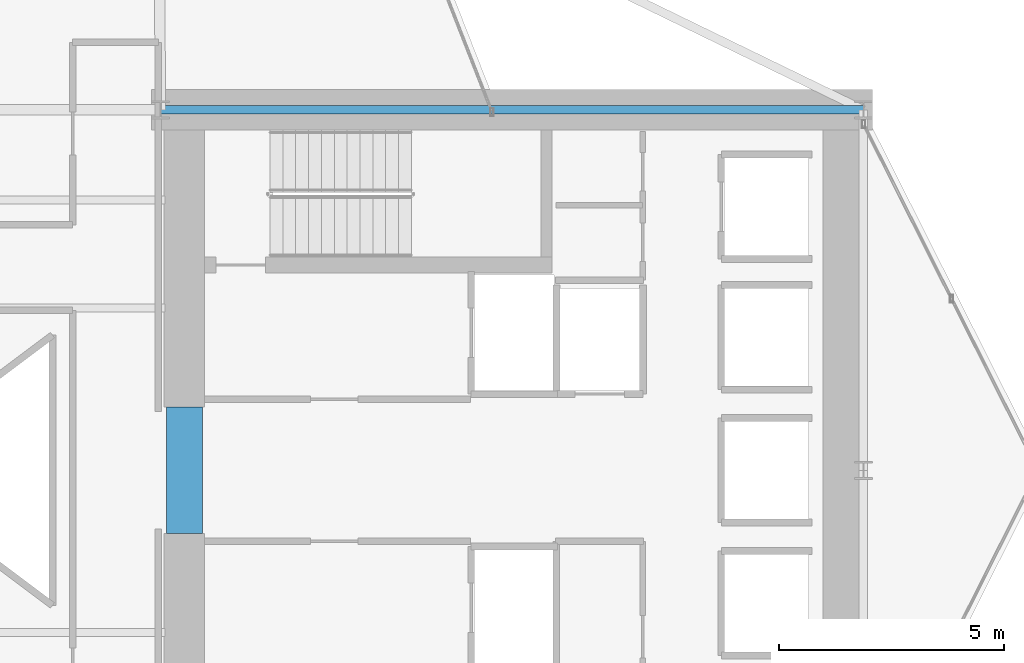
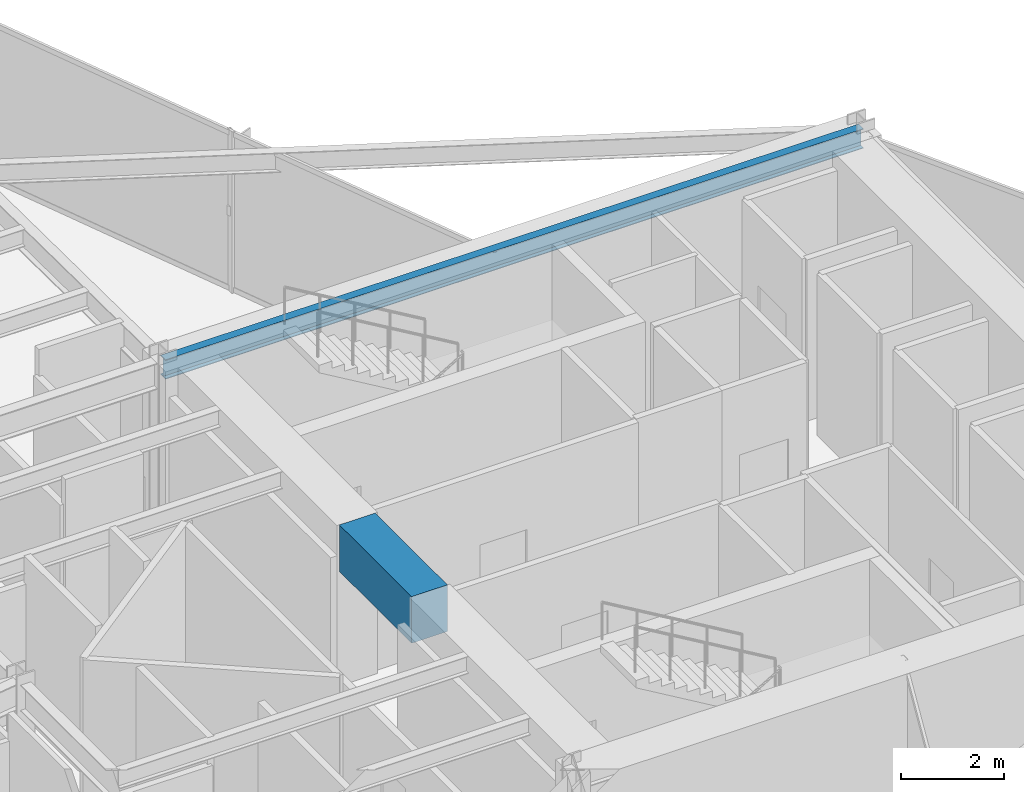
# One storey, part 16 of 29: 2 beams.
"""IFC4 building model written with IfcOpenShell, lengths in metres."""

from ifc_helpers import new_model, si_unit, direction, frame, origin, origin_2d, place, context, subcontext, project, spatial, rectangle, i_section, extrude, material, material_profile, profile_set, type_object, element, save


model = new_model("IFC4")

# Units and contexts
model_context = context("Model", 3, precision=1e-05, world=origin(), true_north=direction((0.0, 1.0)))
body_context = subcontext(model_context, "Body", "Model", "MODEL_VIEW")
ifc_project = project(units=[si_unit("LENGTHUNIT", "METRE"), si_unit("AREAUNIT", "SQUARE_METRE"), si_unit("VOLUMEUNIT", "CUBIC_METRE"), si_unit("PLANEANGLEUNIT", "RADIAN"), si_unit("MASSUNIT", "GRAM", prefix="KILO")], contexts=[model_context])

# Site, building, storey
site_placement = place(None, origin())
site = spatial("IfcSite", under=ifc_project, at=site_placement, CompositionType="ELEMENT")
building_placement = place(site_placement, origin())
building = spatial("IfcBuilding", under=site, at=building_placement, Name="Veymaron Broadcast Tower", CompositionType="ELEMENT")
storey_placement = place(building_placement, frame((0.0, 0.0, 58.050048828125)))
storey = spatial("IfcBuildingStorey", under=building, at=storey_placement, Name="L12", CompositionType="ELEMENT", Elevation=58.050048828125)

# Beams
ifc_material_1 = material(Name="Concrete C70/85", Category="concrete")
ifc_material_profile_1 = material_profile(ifc_material_1, rectangle(XDim=0.800048828125, YDim=1.10009765625, at=origin_2d()), Name="RC800X1100")
ifc_profile_set_1 = profile_set([ifc_material_profile_1], Name="Concrete C70/85")
beam_type_1 = type_object("IfcBeamType", Name="BM-CB1", PredefinedType="LINTEL", material=ifc_profile_set_1)
beam_1_placement = place(storey_placement, frame((39.530029296875, 22.60009765625, 3.260009765625), z_axis=(0.0, 1.0, 0.0), x_axis=(-1.0, 0.0, 0.0)))
element("IfcBeam", 1, at=beam_1_placement, inside=storey, type_object=beam_type_1, Name="L12 Core Wall west coupling beam", PredefinedType="LINTEL", context=body_context, shape_type="SweptSolid", body=[
    extrude(rectangle(XDim=0.800048828125, YDim=1.10009765625, at=origin_2d()), origin(), (0.0, 0.0, 1.0), 2.7998046875),
])
ifc_material_2 = material(Name="Structural steel ASTM A992 Gr 50", Category="steel")
ifc_material_profile_2 = material_profile(ifc_material_2, i_section(OverallWidth=0.19091796875, OverallDepth=0.4599609375, WebThickness=0.010009765625, FlangeThickness=0.01611328125, at=origin_2d()), Name="W460X82")
ifc_profile_set_2 = profile_set([ifc_material_profile_2], Name="Structural steel ASTM A992 Gr 50")
beam_type_2 = type_object("IfcBeamType", Name="BM-SP1", PredefinedType="SPANDREL", material=ifc_profile_set_2)
beam_2_placement = place(storey_placement, frame((39.0, 32.0, 3.579833984375), z_axis=(1.0, 0.0, 0.0), x_axis=(0.0, 1.0, 0.0)))
element("IfcBeam", 2, at=beam_2_placement, inside=storey, type_object=beam_type_2, Name="L12 primary structural floor girder", PredefinedType="SPANDREL", context=body_context, shape_type="SweptSolid", body=[
    extrude(i_section(OverallWidth=0.19091796875, OverallDepth=0.4599609375, WebThickness=0.010009765625, FlangeThickness=0.01611328125, at=origin_2d()), origin(), (0.0, 0.0, 1.0), 15.60009765625),
])

save(model, "model.ifc")
